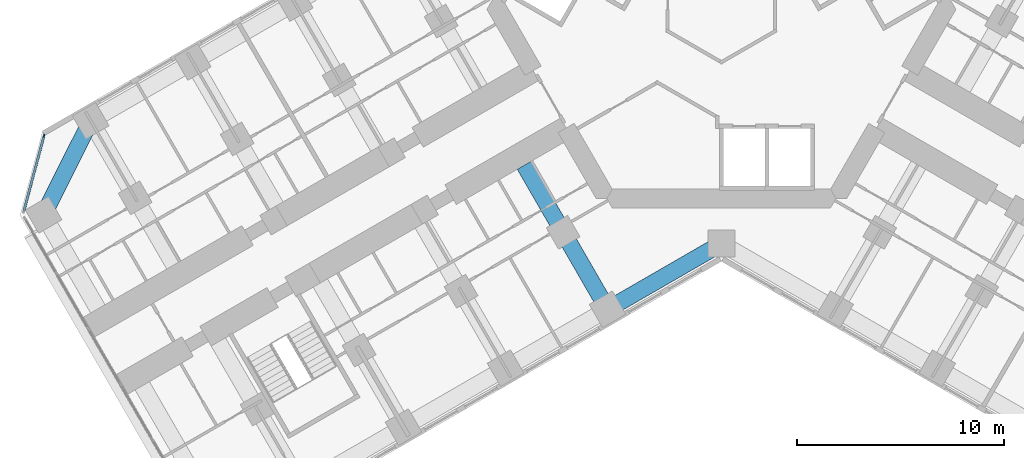
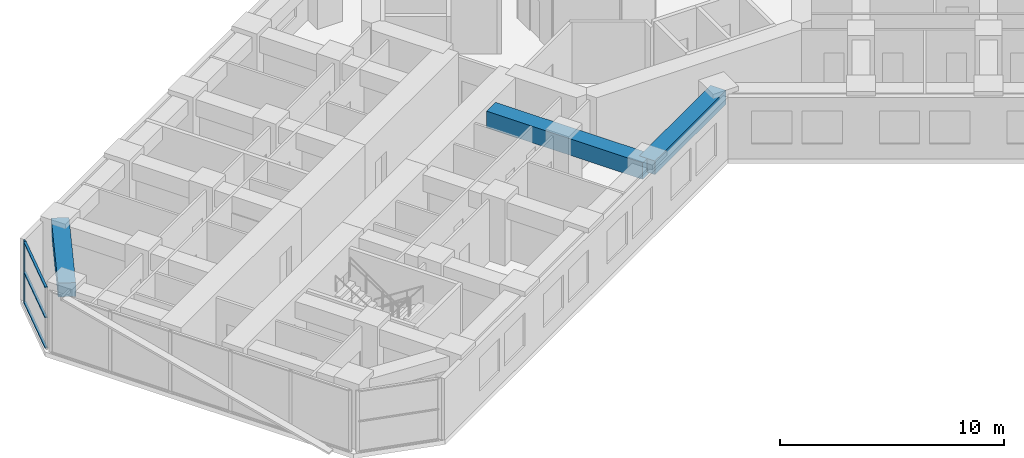
# One storey, part 3 of 19: 4 members, 3 beams, 1 element without a shape of its own.
"""IFC4 building model written with IfcOpenShell, lengths in metres."""

from ifc_helpers import new_model, si_unit, direction, frame, origin, origin_2d, place, context, subcontext, project, spatial, rectangle, extrude, material, material_profile, profile_set, type_object, element, aggregate, save


model = new_model("IFC4")

# Units and contexts
model_context = context("Model", 3, precision=1e-05, world=origin(), true_north=direction((0.0, 1.0)))
body_context = subcontext(model_context, "Body", "Model", "MODEL_VIEW")
ifc_project = project(units=[si_unit("LENGTHUNIT", "METRE"), si_unit("AREAUNIT", "SQUARE_METRE"), si_unit("VOLUMEUNIT", "CUBIC_METRE"), si_unit("PLANEANGLEUNIT", "RADIAN"), si_unit("MASSUNIT", "GRAM", prefix="KILO")], contexts=[model_context])

# Site, building, storey
site_placement = place(None, origin())
site = spatial("IfcSite", under=ifc_project, at=site_placement, CompositionType="ELEMENT")
building_placement = place(site_placement, origin())
building = spatial("IfcBuilding", under=site, at=building_placement, Name="Kosmar Iwan School Tower", CompositionType="ELEMENT")
storey_placement = place(building_placement, frame((0.0, 0.0, 120.199951171875)))
storey = spatial("IfcBuildingStorey", under=building, at=storey_placement, Name="L29", CompositionType="ELEMENT", Elevation=120.199951171875)

# Curtain wall, member
ifc_material_1 = material(Name="Dark glass in black aluminium frame", Category="aluminium")
curtain_wall_type = type_object("IfcCurtainWallType", Name="Sky lounge curtain wall", PredefinedType="USERDEFINED", material=ifc_material_1)
curtain_wall_placement = place(storey_placement, origin())
curtain_wall = element("IfcCurtainWall", 1, at=curtain_wall_placement, inside=storey, type_object=curtain_wall_type, Name="Curtain wall L29-F12", ObjectType="FULL HEIGHT CURTAIN WALL", PredefinedType="USERDEFINED")
ifc_material_2 = material(Name="Black anodised aluminium", Category="aluminium")
ifc_material_profile_1 = material_profile(ifc_material_2, rectangle(XDim=0.06005859375, YDim=0.159912109375, at=origin_2d()), Name="MULLION 60x160")
ifc_profile_set_1 = profile_set([ifc_material_profile_1], Name="Black anodised aluminium")
member_type_1 = type_object("IfcMemberType", Name="Mullion 60x160", PredefinedType="MULLION", material=ifc_profile_set_1)
member_1_placement = place(storey_placement, frame((-32.78076171875, -6.5732421875, 0.0), z_axis=(0.0, 0.0, 1.0), x_axis=(0.965925875495, -0.258818861462, 0.0)))
member_1 = element("IfcMember", 2, at=member_1_placement, type_object=member_type_1, Name="CW6 mullion 1", PredefinedType="MULLION", context=body_context, shape_type="SweptSolid", body=[
    extrude(rectangle(XDim=0.06005859375, YDim=0.159912109375, at=origin_2d()), origin(), (0.0, 0.0, 1.0), 3.35009765625),
])

# Beams
ifc_material_3 = material(Name="Concrete C50/60", Category="concrete")
ifc_material_profile_2 = material_profile(ifc_material_3, rectangle(XDim=0.800048828125, YDim=0.75, at=origin_2d()), Name="RC 800x750")
ifc_profile_set_2 = profile_set([ifc_material_profile_2], Name="Concrete C50/60")
beam_type_1 = type_object("IfcBeamType", Name="RC edge beam 800x750", PredefinedType="BEAM", material=ifc_profile_set_2)
beam_1_placement = place(storey_placement, frame((0.0, -11.77783203125, 2.97509765625), z_axis=(-0.866014293216, -0.500019243575, 0.0), x_axis=(0.500019243575, -0.866014293216, 0.0)))
element("IfcBeam", 3, at=beam_1_placement, inside=storey, type_object=beam_type_1, Name="Edge beam BL1", PredefinedType="BEAM", context=body_context, shape_type="SweptSolid", body=[
    extrude(rectangle(XDim=0.800048828125, YDim=0.75, at=origin_2d()), origin(), (0.0, 0.0, 1.0), 6.361083984375),
])
ifc_material_4 = material(Name="Concrete C50/60", Category="concrete")
ifc_material_profile_3 = material_profile(ifc_material_4, rectangle(XDim=0.800048828125, YDim=0.75, at=origin_2d()), Name="RC 800x750")
ifc_profile_set_3 = profile_set([ifc_material_profile_3], Name="Concrete C50/60")
beam_type_2 = type_object("IfcBeamType", Name="RC tip beam 800x750", PredefinedType="BEAM", material=ifc_profile_set_3)
beam_2_placement = place(storey_placement, frame((-30.517822265625, -5.841552734375, 2.97509765625), z_axis=(-0.44809604203, -0.893985423325, 0.0), x_axis=(0.893985423325, -0.44809604203, 0.0)))
element("IfcBeam", 4, at=beam_2_placement, inside=storey, type_object=beam_type_2, Name="Tip beam BR", PredefinedType="BEAM", context=body_context, shape_type="SweptSolid", body=[
    extrude(rectangle(XDim=0.800048828125, YDim=0.75, at=origin_2d()), origin(), (0.0, 0.0, 1.0), 5.08935546875),
])
ifc_material_5 = material(Name="Concrete C50/60", Category="concrete")
ifc_material_profile_4 = material_profile(ifc_material_5, rectangle(XDim=0.800048828125, YDim=0.89990234375, at=origin_2d()), Name="RC 800x900")
ifc_profile_set_4 = profile_set([ifc_material_profile_4], Name="Concrete C50/60")
beam_type_3 = type_object("IfcBeamType", Name="RC transverse beam 800x900", PredefinedType="BEAM", material=ifc_profile_set_4)
beam_3_placement = place(storey_placement, frame((-5.5087890625, -14.95849609375, 2.900146484375), z_axis=(-0.49999461055, 0.866028515362, 0.0), x_axis=(-0.866028515362, -0.49999461055, 0.0)))
element("IfcBeam", 5, at=beam_3_placement, inside=storey, type_object=beam_type_3, Name="Transverse beam BL1", PredefinedType="BEAM", context=body_context, shape_type="SweptSolid", body=[
    extrude(rectangle(XDim=0.800048828125, YDim=0.89990234375, at=origin_2d()), origin(), (0.0, 0.0, 1.0), 8.0498046875),
])

# Member
ifc_material_6 = material(Name="Black anodised aluminium", Category="aluminium")
ifc_material_profile_5 = material_profile(ifc_material_6, rectangle(XDim=0.1201171875, YDim=0.06005859375, at=origin_2d()), Name="TRANSOM 60x120")
ifc_profile_set_5 = profile_set([ifc_material_profile_5], Name="Black anodised aluminium")
member_type_2 = type_object("IfcMemberType", Name="Transom 60x120", PredefinedType="USERDEFINED", material=ifc_profile_set_5)
member_2_placement = place(storey_placement, frame((-32.788330078125, -6.602294921875, 0.030029296875), z_axis=(-0.258843273983, -0.965919333854, 0.0), x_axis=(0.965919333854, -0.258843273983, 0.0)))
member_2 = element("IfcMember", 6, at=member_2_placement, type_object=member_type_2, Name="CW6 transom 1.1", ObjectType="TRANSOM", PredefinedType="USERDEFINED", context=body_context, shape_type="SweptSolid", body=[
    extrude(rectangle(XDim=0.1201171875, YDim=0.06005859375, at=origin_2d()), origin(), (0.0, 0.0, 1.0), 3.718994140625),
])

member_3_placement = place(storey_placement, frame((-32.788330078125, -6.602294921875, 1.675048828125), z_axis=(-0.258843273983, -0.965919333854, 0.0), x_axis=(0.965919333854, -0.258843273983, 0.0)))
member_3 = element("IfcMember", 7, at=member_3_placement, type_object=member_type_2, Name="CW6 transom 1.2", ObjectType="TRANSOM", PredefinedType="USERDEFINED", context=body_context, shape_type="SweptSolid", body=[
    extrude(rectangle(XDim=0.1201171875, YDim=0.06005859375, at=origin_2d()), origin(), (0.0, 0.0, 1.0), 3.718994140625),
])

member_4_placement = place(storey_placement, frame((-32.788330078125, -6.602294921875, 3.320068359375), z_axis=(-0.258843273983, -0.965919333854, 0.0), x_axis=(0.965919333854, -0.258843273983, 0.0)))
member_4 = element("IfcMember", 8, at=member_4_placement, type_object=member_type_2, Name="CW6 transom 1.3", ObjectType="TRANSOM", PredefinedType="USERDEFINED", context=body_context, shape_type="SweptSolid", body=[
    extrude(rectangle(XDim=0.1201171875, YDim=0.06005859375, at=origin_2d()), origin(), (0.0, 0.0, 1.0), 3.718994140625),
])

aggregate(curtain_wall, [member_1, member_2, member_3, member_4])

save(model, "model.ifc")
